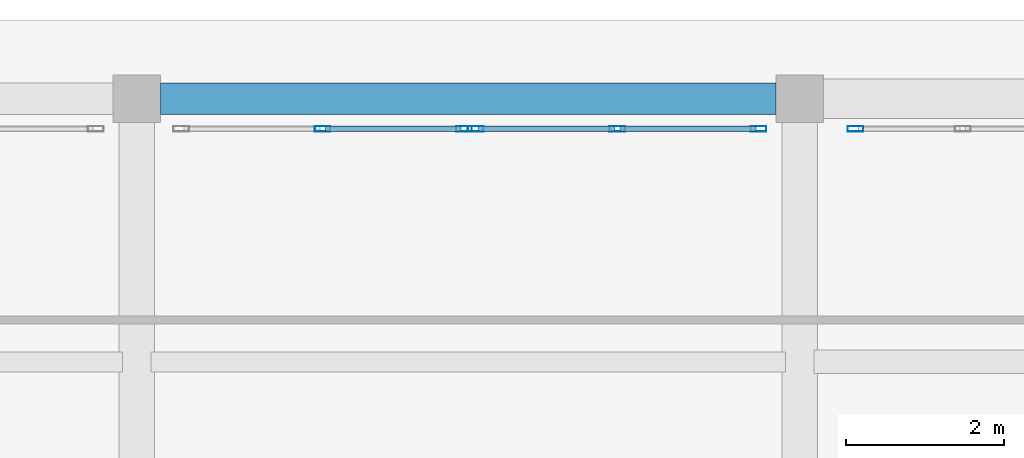
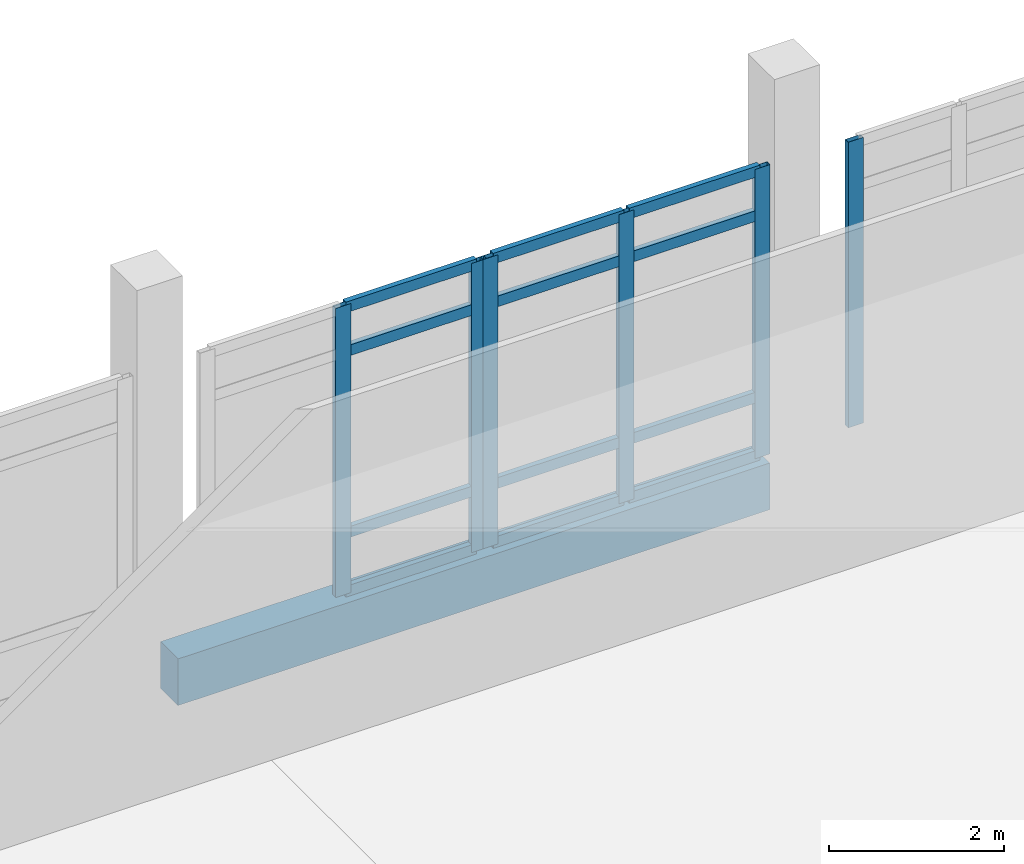
# One storey, part 33 of 64: 18 members, 1 beam, 3 elements without a shape of their own.
"""IFC4 building model written with IfcOpenShell, lengths in metres."""

from ifc_helpers import new_model, si_unit, derived_unit, direction, frame, origin, origin_2d, place, context, subcontext, project, spatial, rectangle, hollow_rectangle, extrude, material, layer, layer_set, material_profile, profile_set, type_object, element, aggregate, save


model = new_model("IFC4")

# Units and contexts
model_context = context("Model", 3, precision=1e-05, world=origin(), true_north=direction((0.0, 1.0)))
body_context = subcontext(model_context, "Body", "Model", "MODEL_VIEW")
ifc_project = project(units=[si_unit("LENGTHUNIT", "METRE"), si_unit("AREAUNIT", "SQUARE_METRE"), si_unit("VOLUMEUNIT", "CUBIC_METRE"), si_unit("PLANEANGLEUNIT", "RADIAN"), si_unit("MASSUNIT", "GRAM", prefix="KILO"), derived_unit("THERMALTRANSMITTANCEUNIT", [(si_unit("POWERUNIT", "WATT"), 1), (si_unit("LENGTHUNIT", "METRE"), -2), (si_unit("THERMODYNAMICTEMPERATUREUNIT", "KELVIN"), -1)])], contexts=[model_context])

# Site, building, storey
site_placement = place(None, origin())
site = spatial("IfcSite", under=ifc_project, at=site_placement, CompositionType="ELEMENT")
building_placement = place(site_placement, origin())
building = spatial("IfcBuilding", under=site, at=building_placement, Name="Elbkamm Science Centre", CompositionType="ELEMENT")
storey_placement = place(building_placement, origin())
storey = spatial("IfcBuildingStorey", under=building, at=storey_placement, Name="L00", CompositionType="ELEMENT", Elevation=0.0)

# Beam
ifc_material_1 = material(Name="Concrete C40/50", Category="concrete")
ifc_material_profile_1 = material_profile(ifc_material_1, rectangle(XDim=0.39990234375, YDim=0.64990234375, at=origin_2d()), Name="RC 400x650")
ifc_profile_set_1 = profile_set([ifc_material_profile_1], Name="Concrete C40/50")
beam_type = type_object("IfcBeamType", Name="BM-RC-400x650", PredefinedType="BEAM", material=ifc_profile_set_1)
beam_placement = place(storey_placement, frame((143.10009765625, 110.800048828125, -0.625), z_axis=(1.0, 0.0, 0.0), x_axis=(0.0, 1.0, 0.0)))
element("IfcBeam", 1, at=beam_placement, inside=storey, type_object=beam_type, Name="L00 Primary X-Girder 093", PredefinedType="BEAM", context=body_context, shape_type="SweptSolid", body=[
    extrude(rectangle(XDim=0.39990234375, YDim=0.64990234375, at=origin_2d()), origin(), (0.0, 0.0, 1.0), 7.7998046875),
])

# Curtain wall, members
ifc_material_2 = material(Name="Powder-coated aluminium and triple low-E glazing", Category="aluminium")
ifc_layer_1 = layer(ifc_material_2, 0.159912109375)
ifc_layer_set_1 = layer_set([ifc_layer_1], Name="Powder-coated aluminium and triple low-E glazing")
curtain_wall_type_1 = type_object("IfcCurtainWallType", Name="CW-UNIT-3660x4040", PredefinedType="USERDEFINED", material=ifc_layer_set_1)
curtain_wall_1_placement = place(storey_placement, origin())
curtain_wall_1 = element("IfcCurtainWall", 2, at=curtain_wall_1_placement, inside=storey, type_object=curtain_wall_type_1, Name="L00 Unitised Curtain Wall 110", ObjectType="UNITISED CURTAIN WALL", PredefinedType="USERDEFINED")
ifc_material_3 = material(Name="Powder-coated aluminium EN AW-6060", Category="aluminium")
ifc_material_profile_2 = material_profile(ifc_material_3, hollow_rectangle(XDim=0.070068359375, YDim=0.199951171875, WallThickness=0.00439453125, at=origin_2d()), Name="ALU M70x200")
ifc_profile_set_2 = profile_set([ifc_material_profile_2], Name="Powder-coated aluminium EN AW-6060")
member_type_1 = type_object("IfcMemberType", Name="CW-MUL-70x200", PredefinedType="MULLION", material=ifc_profile_set_2)
member_1_placement = place(storey_placement, frame((145.153564453125, 110.419921875, 0.0), z_axis=(0.0, 0.0, 1.0), x_axis=(0.0, 1.0, 0.0)))
member_1 = element("IfcMember", 3, at=member_1_placement, type_object=member_type_1, Name="CW-055 mullion 2", PredefinedType="MULLION", context=body_context, shape_type="SweptSolid", body=[
    extrude(hollow_rectangle(XDim=0.070068359375, YDim=0.199951171875, WallThickness=0.00439453125, at=origin_2d()), origin(), (0.0, 0.0, 1.0), 4.030029296875),
])
member_2_placement = place(storey_placement, frame((146.9453125, 110.419921875, 0.0), z_axis=(0.0, 0.0, 1.0), x_axis=(0.0, 1.0, 0.0)))
member_2 = element("IfcMember", 4, at=member_2_placement, type_object=member_type_1, Name="CW-055 mullion 3", PredefinedType="MULLION", context=body_context, shape_type="SweptSolid", body=[
    extrude(hollow_rectangle(XDim=0.070068359375, YDim=0.199951171875, WallThickness=0.00439453125, at=origin_2d()), origin(), (0.0, 0.0, 1.0), 4.030029296875),
])

curtain_wall_2_placement = place(storey_placement, origin())
curtain_wall_2 = element("IfcCurtainWall", 5, at=curtain_wall_2_placement, inside=storey, type_object=curtain_wall_type_1, Name="L00 Unitised Curtain Wall 111", ObjectType="UNITISED CURTAIN WALL", PredefinedType="USERDEFINED")
member_3_placement = place(storey_placement, frame((147.09521484375, 110.419921875, 0.0), z_axis=(0.0, 0.0, 1.0), x_axis=(0.0, 1.0, 0.0)))
member_3 = element("IfcMember", 6, at=member_3_placement, type_object=member_type_1, Name="CW-055 mullion 1", PredefinedType="MULLION", context=body_context, shape_type="SweptSolid", body=[
    extrude(hollow_rectangle(XDim=0.070068359375, YDim=0.199951171875, WallThickness=0.00439453125, at=origin_2d()), origin(), (0.0, 0.0, 1.0), 4.030029296875),
])
member_4_placement = place(storey_placement, frame((148.886962890625, 110.419921875, 0.0), z_axis=(0.0, 0.0, 1.0), x_axis=(0.0, 1.0, 0.0)))
member_4 = element("IfcMember", 7, at=member_4_placement, type_object=member_type_1, Name="CW-055 mullion 2", PredefinedType="MULLION", context=body_context, shape_type="SweptSolid", body=[
    extrude(hollow_rectangle(XDim=0.070068359375, YDim=0.199951171875, WallThickness=0.00439453125, at=origin_2d()), origin(), (0.0, 0.0, 1.0), 4.030029296875),
])
member_5_placement = place(storey_placement, frame((150.6787109375, 110.419921875, 0.0), z_axis=(0.0, 0.0, 1.0), x_axis=(0.0, 1.0, 0.0)))
member_5 = element("IfcMember", 8, at=member_5_placement, type_object=member_type_1, Name="CW-055 mullion 3", PredefinedType="MULLION", context=body_context, shape_type="SweptSolid", body=[
    extrude(hollow_rectangle(XDim=0.070068359375, YDim=0.199951171875, WallThickness=0.00439453125, at=origin_2d()), origin(), (0.0, 0.0, 1.0), 4.030029296875),
])

# Curtain wall, member
ifc_layer_2 = layer(ifc_material_2, 0.159912109375)
ifc_layer_set_2 = layer_set([ifc_layer_2], Name="Powder-coated aluminium and triple low-E glazing")
curtain_wall_type_2 = type_object("IfcCurtainWallType", Name="CW-UNIT-4180x3980", PredefinedType="USERDEFINED", material=ifc_layer_set_2)
curtain_wall_3_placement = place(storey_placement, origin())
curtain_wall_3 = element("IfcCurtainWall", 9, at=curtain_wall_3_placement, inside=storey, type_object=curtain_wall_type_2, Name="L00 Unitised Curtain Wall 112", ObjectType="UNITISED CURTAIN WALL", PredefinedType="USERDEFINED")
member_6_placement = place(storey_placement, frame((151.908203125, 110.419921875, 0.0), z_axis=(0.0, 0.0, 1.0), x_axis=(0.0, 1.0, 0.0)))
member_6 = element("IfcMember", 10, at=member_6_placement, type_object=member_type_1, Name="CW-056 mullion 1", PredefinedType="MULLION", context=body_context, shape_type="SweptSolid", body=[
    extrude(hollow_rectangle(XDim=0.070068359375, YDim=0.199951171875, WallThickness=0.00439453125, at=origin_2d()), origin(), (0.0, 0.0, 1.0), 3.97998046875),
])
aggregate(curtain_wall_3, [member_6])

# Member
ifc_material_profile_3 = material_profile(ifc_material_3, hollow_rectangle(XDim=0.070068359375, YDim=0.14990234375, WallThickness=0.00390625, at=origin_2d()), Name="ALU T70x150")
ifc_profile_set_3 = profile_set([ifc_material_profile_3], Name="Powder-coated aluminium EN AW-6060")
member_type_2 = type_object("IfcMemberType", Name="CW-TRN-70x150", PredefinedType="USERDEFINED", material=ifc_profile_set_3)
member_7_placement = place(storey_placement, frame((145.1884765625, 110.419921875, 0.034912109375), z_axis=(1.0, 0.0, 0.0), x_axis=(0.0, 1.0, 0.0)))
member_7 = element("IfcMember", 11, at=member_7_placement, type_object=member_type_2, Name="CW-055 transom 2.1", ObjectType="TRANSOM", PredefinedType="USERDEFINED", context=body_context, shape_type="SweptSolid", body=[
    extrude(hollow_rectangle(XDim=0.070068359375, YDim=0.14990234375, WallThickness=0.00390625, at=origin_2d()), origin(), (0.0, 0.0, 1.0), 1.7216796875),
])

member_8_placement = place(storey_placement, frame((145.1884765625, 110.419921875, 0.85009765625), z_axis=(1.0, 0.0, 0.0), x_axis=(0.0, 1.0, 0.0)))
member_8 = element("IfcMember", 12, at=member_8_placement, type_object=member_type_2, Name="CW-055 transom 2.2", ObjectType="TRANSOM", PredefinedType="USERDEFINED", context=body_context, shape_type="SweptSolid", body=[
    extrude(hollow_rectangle(XDim=0.070068359375, YDim=0.14990234375, WallThickness=0.00390625, at=origin_2d()), origin(), (0.0, 0.0, 1.0), 1.7216796875),
])

member_9_placement = place(storey_placement, frame((145.1884765625, 110.419921875, 3.3798828125), z_axis=(1.0, 0.0, 0.0), x_axis=(0.0, 1.0, 0.0)))
member_9 = element("IfcMember", 13, at=member_9_placement, type_object=member_type_2, Name="CW-055 transom 2.3", ObjectType="TRANSOM", PredefinedType="USERDEFINED", context=body_context, shape_type="SweptSolid", body=[
    extrude(hollow_rectangle(XDim=0.070068359375, YDim=0.14990234375, WallThickness=0.00390625, at=origin_2d()), origin(), (0.0, 0.0, 1.0), 1.7216796875),
])

member_10_placement = place(storey_placement, frame((145.1884765625, 110.419921875, 3.9951171875), z_axis=(1.0, 0.0, 0.0), x_axis=(0.0, 1.0, 0.0)))
member_10 = element("IfcMember", 14, at=member_10_placement, type_object=member_type_2, Name="CW-055 transom 2.4", ObjectType="TRANSOM", PredefinedType="USERDEFINED", context=body_context, shape_type="SweptSolid", body=[
    extrude(hollow_rectangle(XDim=0.070068359375, YDim=0.14990234375, WallThickness=0.00390625, at=origin_2d()), origin(), (0.0, 0.0, 1.0), 1.7216796875),
])

aggregate(curtain_wall_1, [member_1, member_2, member_7, member_8, member_9, member_10])

member_11_placement = place(storey_placement, frame((147.130126953125, 110.419921875, 0.034912109375), z_axis=(1.0, 0.0, 0.0), x_axis=(0.0, 1.0, 0.0)))
member_11 = element("IfcMember", 15, at=member_11_placement, type_object=member_type_2, Name="CW-055 transom 1.1", ObjectType="TRANSOM", PredefinedType="USERDEFINED", context=body_context, shape_type="SweptSolid", body=[
    extrude(hollow_rectangle(XDim=0.070068359375, YDim=0.14990234375, WallThickness=0.00390625, at=origin_2d()), origin(), (0.0, 0.0, 1.0), 1.721923828125),
])

member_12_placement = place(storey_placement, frame((147.130126953125, 110.419921875, 0.85009765625), z_axis=(1.0, 0.0, 0.0), x_axis=(0.0, 1.0, 0.0)))
member_12 = element("IfcMember", 16, at=member_12_placement, type_object=member_type_2, Name="CW-055 transom 1.2", ObjectType="TRANSOM", PredefinedType="USERDEFINED", context=body_context, shape_type="SweptSolid", body=[
    extrude(hollow_rectangle(XDim=0.070068359375, YDim=0.14990234375, WallThickness=0.00390625, at=origin_2d()), origin(), (0.0, 0.0, 1.0), 1.721923828125),
])

member_13_placement = place(storey_placement, frame((147.130126953125, 110.419921875, 3.3798828125), z_axis=(1.0, 0.0, 0.0), x_axis=(0.0, 1.0, 0.0)))
member_13 = element("IfcMember", 17, at=member_13_placement, type_object=member_type_2, Name="CW-055 transom 1.3", ObjectType="TRANSOM", PredefinedType="USERDEFINED", context=body_context, shape_type="SweptSolid", body=[
    extrude(hollow_rectangle(XDim=0.070068359375, YDim=0.14990234375, WallThickness=0.00390625, at=origin_2d()), origin(), (0.0, 0.0, 1.0), 1.721923828125),
])

member_14_placement = place(storey_placement, frame((147.130126953125, 110.419921875, 3.9951171875), z_axis=(1.0, 0.0, 0.0), x_axis=(0.0, 1.0, 0.0)))
member_14 = element("IfcMember", 18, at=member_14_placement, type_object=member_type_2, Name="CW-055 transom 1.4", ObjectType="TRANSOM", PredefinedType="USERDEFINED", context=body_context, shape_type="SweptSolid", body=[
    extrude(hollow_rectangle(XDim=0.070068359375, YDim=0.14990234375, WallThickness=0.00390625, at=origin_2d()), origin(), (0.0, 0.0, 1.0), 1.721923828125),
])

member_15_placement = place(storey_placement, frame((148.921875, 110.419921875, 0.034912109375), z_axis=(1.0, 0.0, 0.0), x_axis=(0.0, 1.0, 0.0)))
member_15 = element("IfcMember", 19, at=member_15_placement, type_object=member_type_2, Name="CW-055 transom 2.1", ObjectType="TRANSOM", PredefinedType="USERDEFINED", context=body_context, shape_type="SweptSolid", body=[
    extrude(hollow_rectangle(XDim=0.070068359375, YDim=0.14990234375, WallThickness=0.00390625, at=origin_2d()), origin(), (0.0, 0.0, 1.0), 1.721923828125),
])

member_16_placement = place(storey_placement, frame((148.921875, 110.419921875, 0.85009765625), z_axis=(1.0, 0.0, 0.0), x_axis=(0.0, 1.0, 0.0)))
member_16 = element("IfcMember", 20, at=member_16_placement, type_object=member_type_2, Name="CW-055 transom 2.2", ObjectType="TRANSOM", PredefinedType="USERDEFINED", context=body_context, shape_type="SweptSolid", body=[
    extrude(hollow_rectangle(XDim=0.070068359375, YDim=0.14990234375, WallThickness=0.00390625, at=origin_2d()), origin(), (0.0, 0.0, 1.0), 1.721923828125),
])

member_17_placement = place(storey_placement, frame((148.921875, 110.419921875, 3.3798828125), z_axis=(1.0, 0.0, 0.0), x_axis=(0.0, 1.0, 0.0)))
member_17 = element("IfcMember", 21, at=member_17_placement, type_object=member_type_2, Name="CW-055 transom 2.3", ObjectType="TRANSOM", PredefinedType="USERDEFINED", context=body_context, shape_type="SweptSolid", body=[
    extrude(hollow_rectangle(XDim=0.070068359375, YDim=0.14990234375, WallThickness=0.00390625, at=origin_2d()), origin(), (0.0, 0.0, 1.0), 1.721923828125),
])

member_18_placement = place(storey_placement, frame((148.921875, 110.419921875, 3.9951171875), z_axis=(1.0, 0.0, 0.0), x_axis=(0.0, 1.0, 0.0)))
member_18 = element("IfcMember", 22, at=member_18_placement, type_object=member_type_2, Name="CW-055 transom 2.4", ObjectType="TRANSOM", PredefinedType="USERDEFINED", context=body_context, shape_type="SweptSolid", body=[
    extrude(hollow_rectangle(XDim=0.070068359375, YDim=0.14990234375, WallThickness=0.00390625, at=origin_2d()), origin(), (0.0, 0.0, 1.0), 1.721923828125),
])

aggregate(curtain_wall_2, [member_3, member_4, member_5, member_11, member_12, member_13, member_14, member_15, member_16, member_17, member_18])

save(model, "model.ifc")
